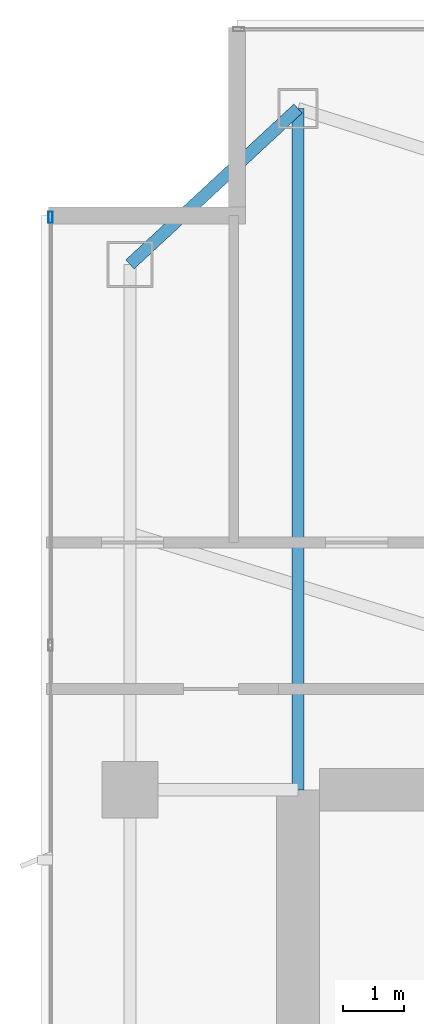
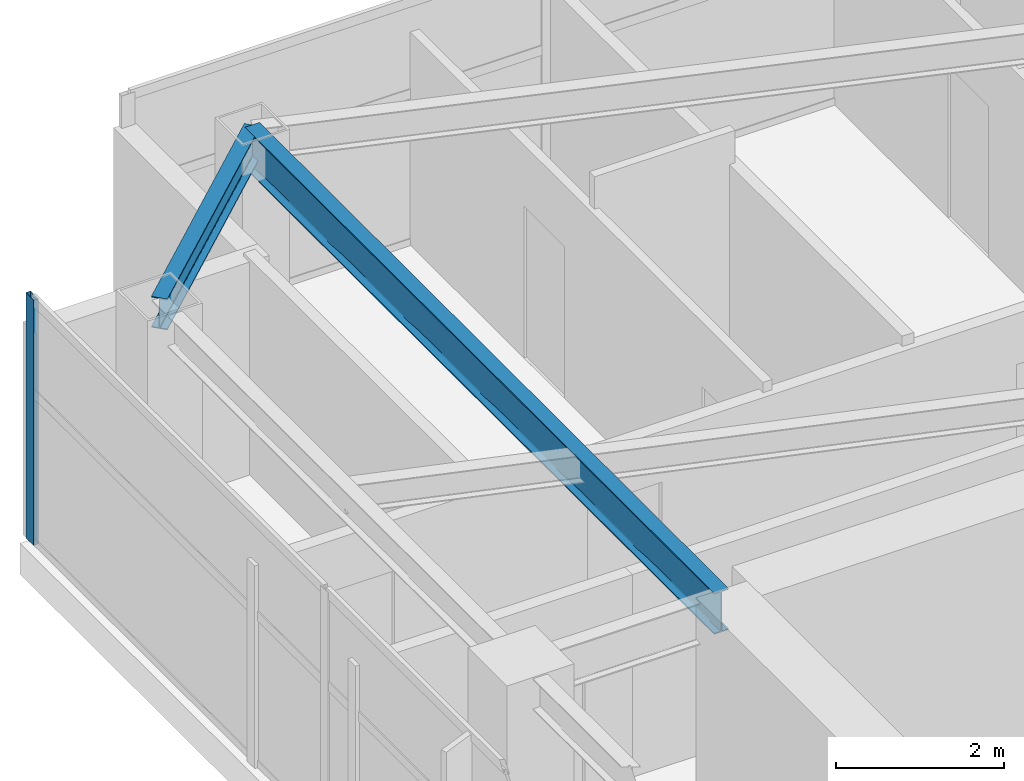
# One storey, part 16 of 28: 2 beams, 1 member, 1 element without a shape of its own.
"""IFC4 building model written with IfcOpenShell, lengths in metres."""

from ifc_helpers import new_model, si_unit, direction, frame, origin, origin_2d, place, context, subcontext, project, spatial, hollow_rectangle, i_section, extrude, material, layer, layer_set, material_profile, profile_set, type_object, element, aggregate, save


model = new_model("IFC4")

# Units and contexts
model_context = context("Model", 3, precision=1e-05, world=origin(), true_north=direction((0.0, 1.0)))
body_context = subcontext(model_context, "Body", "Model", "MODEL_VIEW")
ifc_project = project(units=[si_unit("LENGTHUNIT", "METRE"), si_unit("AREAUNIT", "SQUARE_METRE"), si_unit("VOLUMEUNIT", "CUBIC_METRE"), si_unit("PLANEANGLEUNIT", "RADIAN"), si_unit("MASSUNIT", "GRAM", prefix="KILO")], contexts=[model_context])

# Site, building, storey
site_placement = place(None, origin())
site = spatial("IfcSite", under=ifc_project, at=site_placement, CompositionType="ELEMENT")
building_placement = place(site_placement, origin())
building = spatial("IfcBuilding", under=site, at=building_placement, Name="Calvorn Quay Hotel", CompositionType="ELEMENT")
storey_placement = place(building_placement, frame((0.0, 0.0, 219.300048828125)))
storey = spatial("IfcBuildingStorey", under=building, at=storey_placement, Name="L54", CompositionType="ELEMENT", Elevation=219.300048828125)

# Beams
ifc_material_1 = material(Name="Steel Q355B", Category="steel")
ifc_material_profile_1 = material_profile(ifc_material_1, i_section(OverallWidth=0.199951171875, OverallDepth=0.60009765625, WebThickness=0.010986328125, FlangeThickness=0.01708984375, FilletRadius=0.01806640625, at=origin_2d()), Name="HN600x200x11x17")
ifc_profile_set_1 = profile_set([ifc_material_profile_1], Name="Steel Q355B")
beam_type_1 = type_object("IfcBeamType", Name="BM-GIRD-TYP", PredefinedType="BEAM", material=ifc_profile_set_1)
beam_1_placement = place(storey_placement, frame((4.199951171875, 49.550048828125, 3.239990234375), z_axis=(0.0, -1.0, 0.0), x_axis=(1.0, 0.0, 0.0)))
element("IfcBeam", 1, at=beam_1_placement, inside=storey, type_object=beam_type_1, Name="Beam BG-L54-W5", PredefinedType="BEAM", context=body_context, shape_type="SweptSolid", body=[
    extrude(i_section(OverallWidth=0.199951171875, OverallDepth=0.60009765625, WebThickness=0.010986328125, FlangeThickness=0.01708984375, FilletRadius=0.01806640625, at=origin_2d()), origin(), (0.0, 0.0, 1.0), 11.150146484375),
])
ifc_material_2 = material(Name="Steel Q355B", Category="steel")
ifc_material_profile_2 = material_profile(ifc_material_2, i_section(OverallWidth=0.199951171875, OverallDepth=0.449951171875, WebThickness=0.009033203125, FlangeThickness=0.013916015625, FilletRadius=0.01611328125, at=origin_2d()), Name="HN450x200x9x14")
ifc_profile_set_2 = profile_set([ifc_material_profile_2], Name="Steel Q355B")
beam_type_2 = type_object("IfcBeamType", Name="BM-SPANDREL-Z3", PredefinedType="SPANDREL", material=ifc_profile_set_2)
beam_2_placement = place(storey_placement, frame((1.449951171875, 47.0, 3.31494140625), z_axis=(0.733261665538, 0.679946563969, 0.0), x_axis=(-0.679946563969, 0.733261665538, 0.0)))
element("IfcBeam", 2, at=beam_2_placement, inside=storey, type_object=beam_type_2, Name="Beam BSP-L54-W5", PredefinedType="SPANDREL", context=body_context, shape_type="SweptSolid", body=[
    extrude(i_section(OverallWidth=0.199951171875, OverallDepth=0.449951171875, WebThickness=0.009033203125, FlangeThickness=0.013916015625, FilletRadius=0.01611328125, at=origin_2d()), origin(), (0.0, 0.0, 1.0), 3.75048828125),
])

# Curtain wall, member
ifc_material_3 = material(Name="Champagne Bronze Anodised Aluminium and Low-E Glass", Category="aluminium")
ifc_layer = layer(ifc_material_3, 0.219970703125)
ifc_layer_set = layer_set([ifc_layer], Name="CW-SYS-Z3")
curtain_wall_type = type_object("IfcCurtainWallType", Name="CW-SYS-Z3", PredefinedType="NOTDEFINED", material=ifc_layer_set)
curtain_wall_placement = place(storey_placement, origin())
curtain_wall = element("IfcCurtainWall", 3, at=curtain_wall_placement, inside=storey, type_object=curtain_wall_type, Name="Tower West Curtain Wall (L54)", PredefinedType="NOTDEFINED")
ifc_material_4 = material(Name="Champagne Bronze Anodised Aluminium 6063-T6", Category="aluminium")
ifc_material_profile_3 = material_profile(ifc_material_4, hollow_rectangle(XDim=0.068115234375, YDim=0.18505859375, WallThickness=0.00390625, at=origin_2d()), Name="ALU-M185x68x4")
ifc_profile_set_3 = profile_set([ifc_material_profile_3], Name="Champagne Bronze Anodised Aluminium 6063-T6")
member_type = type_object("IfcMemberType", Name="CW-SYS-Z3-MUL", PredefinedType="MULLION", material=ifc_profile_set_3)
member_placement = place(storey_placement, frame((0.14990234375, 47.77001953125, 0.0), z_axis=(0.0, 0.0, 1.0), x_axis=(-1.0, 0.0, 0.0)))
member = element("IfcMember", 4, at=member_placement, type_object=member_type, Name="CW-L54-W mullion 7", PredefinedType="MULLION", context=body_context, shape_type="SweptSolid", body=[
    extrude(hollow_rectangle(XDim=0.068115234375, YDim=0.18505859375, WallThickness=0.00390625, at=origin_2d()), origin(), (0.0, 0.0, 1.0), 3.56005859375),
])
aggregate(curtain_wall, [member])

save(model, "model.ifc")
